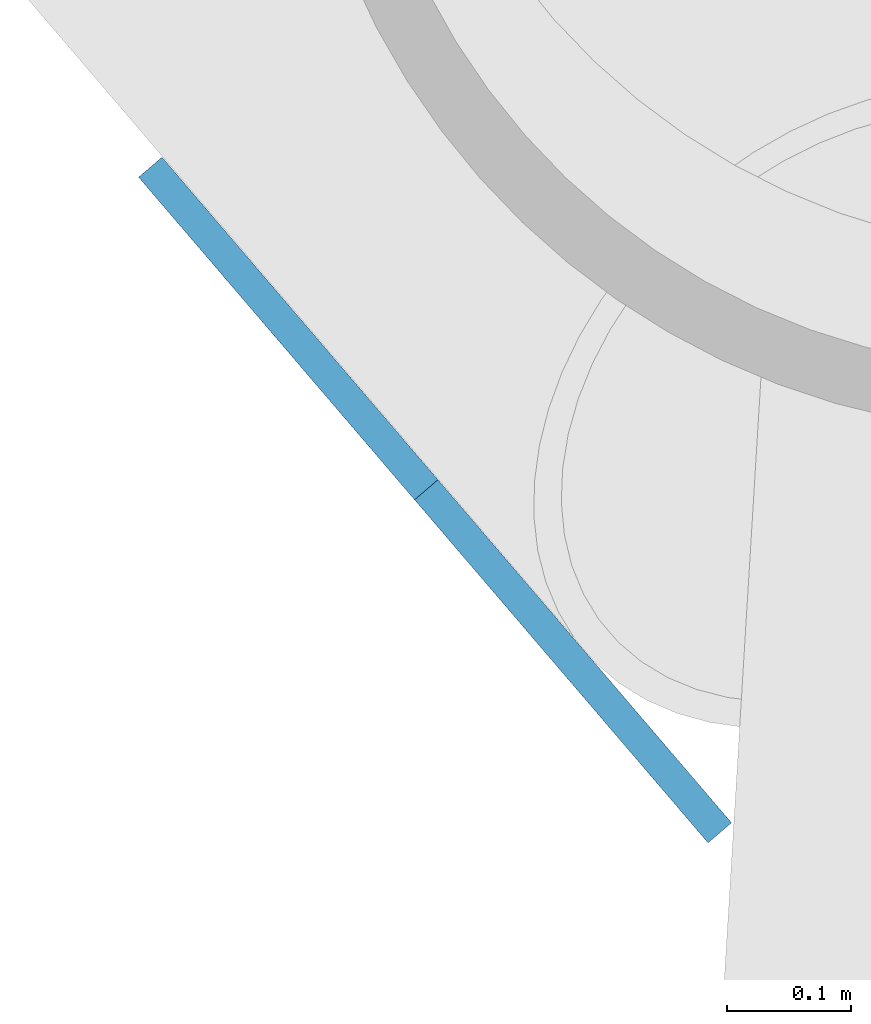
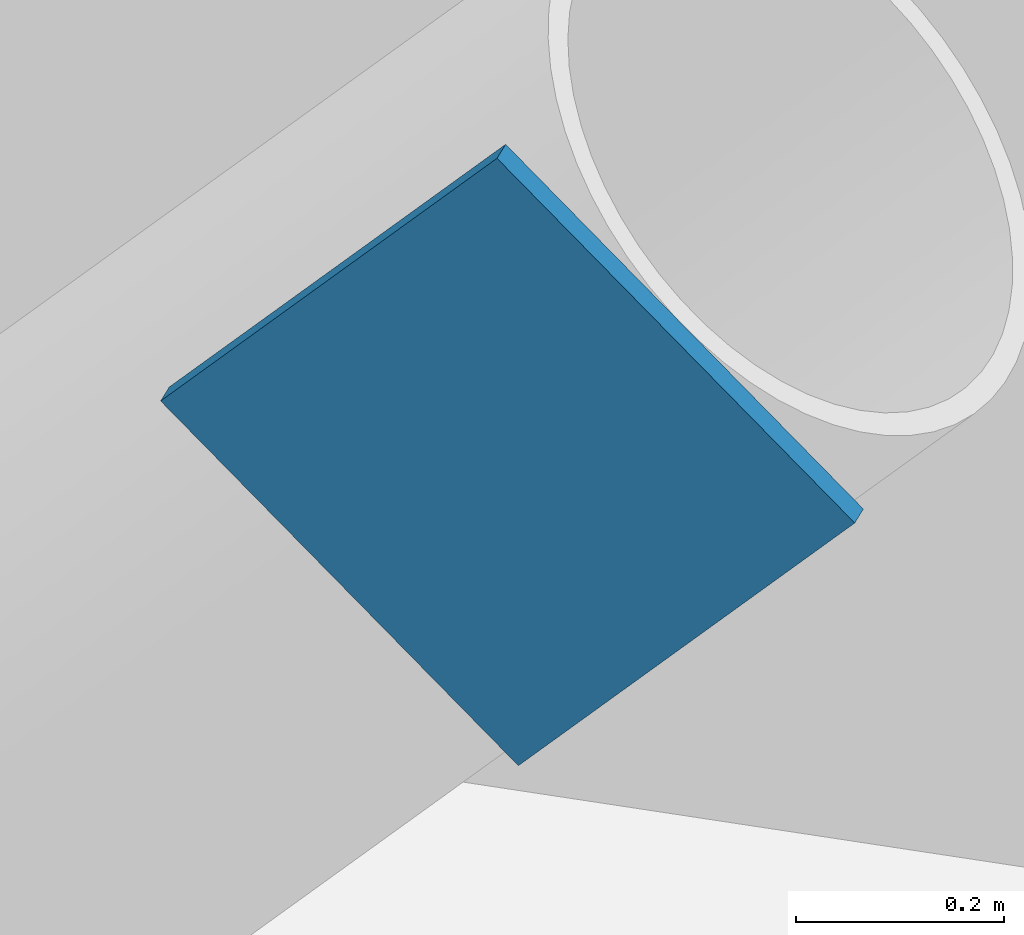
# One storey, part 11 of 22: 1 discrete accessory.
"""IFC4 building model written with IfcOpenShell, lengths in metres."""

import ifcopenshell
import ifcopenshell.guid

model = None  # the IFC model being written
_history = None  # IfcOwnerHistory: only IFC2X3 demands one
_inside = {}  # id of a spatial element -> (the spatial element, [elements in it])
_under = {}  # id of a project, library or spatial element -> (it, [spatial elements below it])
_declared = {}  # id of a project -> (the project, [libraries it declares])
_typed = {}  # id of a type object -> (the type object, [elements of that type])
_made_of = {}  # id of a material, layer set ... -> (it, [elements and type objects made of it])


def new_model(schema):
    """Start an empty IFC model of exactly this schema.

    Asked for "IFC4X3", IfcOpenShell would pick the latest addendum, in which some entities
    have other attributes; the version numbers below select the first issue.
    IFC2X3 requires an IfcOwnerHistory on every rooted entity: one is made here for all.
    """
    global model, _history
    if schema == "IFC4X3":
        model = ifcopenshell.file(schema_version=(4, 3, 0, 0))
    else:
        model = ifcopenshell.file(schema=schema)
    _inside.clear()
    _under.clear()
    _declared.clear()
    _typed.clear()
    _made_of.clear()
    _history = None
    if model.schema == "IFC2X3":
        org = make("IfcOrganization", Name="unknown")
        user = make(
            "IfcPersonAndOrganization",
            ThePerson=make("IfcPerson", FamilyName="unknown"),
            TheOrganization=org,
        )
        app = make(
            "IfcApplication",
            ApplicationDeveloper=org,
            Version="unknown",
            ApplicationFullName="unknown",
            ApplicationIdentifier="unknown",
        )
        _history = make(
            "IfcOwnerHistory",
            OwningUser=user,
            OwningApplication=app,
            ChangeAction="ADDED",
            CreationDate=0,
        )
    return model


def make(cls, **values):
    """One entity of the class cls with the attributes given. An attribute that is None is left unset."""
    return model.create_entity(
        cls, **{name: value for name, value in values.items() if value is not None}
    )


def rooted(cls, **values):
    """An entity with a GlobalId (a new one), such as an element, a storey or a relation."""
    return make(cls, GlobalId=ifcopenshell.guid.new(), OwnerHistory=_history, **values)


def si_unit(unit_type, name, prefix=None):
    """IfcSIUnit, for example si_unit("LENGTHUNIT", "METRE", prefix="MILLI")."""
    return make("IfcSIUnit", UnitType=unit_type, Prefix=prefix, Name=name)


def assignment(units):
    """IfcUnitAssignment: the units of a project."""
    return None if units is None else make("IfcUnitAssignment", Units=units)


def point(xyz):
    """IfcCartesianPoint."""
    return None if xyz is None else make("IfcCartesianPoint", Coordinates=xyz)


def direction(xyz):
    """IfcDirection."""
    return None if xyz is None else make("IfcDirection", DirectionRatios=xyz)


def frame(location, z_axis=None, x_axis=None):
    """IfcAxis2Placement3D, a coordinate frame: its origin and axes. An axis left out is left unset."""
    return make(
        "IfcAxis2Placement3D",
        Location=point(location),
        Axis=direction(z_axis),
        RefDirection=direction(x_axis),
    )


def frame_2d(location, x_axis=None):
    """IfcAxis2Placement2D, a coordinate frame in the plane: its origin and x axis."""
    return make(
        "IfcAxis2Placement2D", Location=point(location), RefDirection=direction(x_axis)
    )


def origin():
    """The frame at (0, 0, 0) with its axes left unset."""
    return frame((0.0, 0.0, 0.0))


def origin_2d():
    """The frame at (0, 0) in the plane with its x axis left unset."""
    return frame_2d((0.0, 0.0))


def place(relative_to, where):
    """IfcLocalPlacement: puts the frame where relative to a parent placement (None: the world)."""
    return make(
        "IfcLocalPlacement", PlacementRelTo=relative_to, RelativePlacement=where
    )


def context(
    kind, dimensions, precision=None, world=None, true_north=None, identifier=None
):
    """IfcGeometricRepresentationContext, for example the 3D "Model" context."""
    return make(
        "IfcGeometricRepresentationContext",
        ContextIdentifier=identifier,
        ContextType=kind,
        CoordinateSpaceDimension=dimensions,
        Precision=precision,
        WorldCoordinateSystem=world,
        TrueNorth=true_north,
    )


def subcontext(parent, identifier, kind, view, scale=None):
    """IfcGeometricRepresentationSubContext, for example "Body" below "Model"."""
    return make(
        "IfcGeometricRepresentationSubContext",
        ContextIdentifier=identifier,
        ContextType=kind,
        ParentContext=parent,
        TargetScale=scale,
        TargetView=view,
    )


def project(units=None, contexts=None):
    """IfcProject with its units and contexts."""
    return rooted(
        "IfcProject",
        Name="project",
        RepresentationContexts=contexts,
        UnitsInContext=assignment(units),
    )


def spatial(cls, under=None, at=None, **own):
    """A site, building, storey or space (cls), placed at a placement, below another one or the project."""
    s = rooted(cls, ObjectPlacement=at, **own)
    if under is not None:
        _under.setdefault(under.id(), (under, []))[1].append(s)
    return s


def profile(cls, at=None, kind="AREA", **sizes):
    """A parametric profile (cls). Its sizes go by their IFC names, for example OverallWidth=200.0."""
    return make(cls, ProfileType=kind, Position=at, **sizes)


def rectangle(**sizes):
    """IfcRectangleProfileDef."""
    return profile("IfcRectangleProfileDef", **sizes)


def extrude(swept, where, along, depth):
    """IfcExtrudedAreaSolid: the profile swept, set in the frame where, extruded along a direction by depth."""
    return make(
        "IfcExtrudedAreaSolid",
        SweptArea=swept,
        Position=where,
        ExtrudedDirection=direction(along),
        Depth=depth,
    )


def shape(context_of_items, identifier, shape_type, items):
    """IfcShapeRepresentation: the items that make up one representation, for example the "Body"."""
    return make(
        "IfcShapeRepresentation",
        ContextOfItems=context_of_items,
        RepresentationIdentifier=identifier,
        RepresentationType=shape_type,
        Items=items,
    )


def material(Name=None, Category=None):
    """IfcMaterial."""
    return make("IfcMaterial", Name=Name, Category=Category)


def material_profile(
    of_material, cross_section, Name=None, Category=None, Priority=None
):
    """IfcMaterialProfile: a cross section and its material."""
    return make(
        "IfcMaterialProfile",
        Name=Name,
        Material=of_material,
        Profile=cross_section,
        Priority=Priority,
        Category=Category,
    )


def profile_set(profiles, Name=None, composite=None):
    """IfcMaterialProfileSet."""
    return make(
        "IfcMaterialProfileSet",
        Name=Name,
        MaterialProfiles=profiles,
        CompositeProfile=composite,
    )


def made_of(thing, what):
    """Note that an element or type object is made of a material, layer set ...; save() writes the relation."""
    if what is not None:
        _made_of.setdefault(what.id(), (what, []))[1].append(thing)
    return thing


def type_object(cls, material=None, **own):
    """A type object (cls), such as IfcWallType, which elements share."""
    return made_of(rooted(cls, **own), material)


def element(
    cls,
    number,
    at=None,
    inside=None,
    cuts=None,
    type_object=None,
    material=None,
    context=None,
    identifier="Body",
    shape_type=None,
    held_by="IfcProductDefinitionShape",
    body=None,
    shapes=None,
    **own,
):
    """One element of the class cls, such as IfcWall. Its Tag is "e" and its number.

    at: its placement. inside: the storey or other place that contains it. cuts: it is an
    opening in that element (IfcRelVoidsElement). A single representation is given by context,
    identifier, shape_type and body (its items); several are given by shapes. held_by: the class
    of the entity that holds the representations. save() writes the other relations.
    """
    e = rooted(cls, Tag="e%d" % number, ObjectPlacement=at, **own)
    if body is not None:
        shapes = [shape(context, identifier, shape_type, body)]
    if shapes is not None:
        e.Representation = make(held_by, Representations=shapes)
    if inside is not None:
        _inside.setdefault(inside.id(), (inside, []))[1].append(e)
    if cuts is not None:
        rooted(
            "IfcRelVoidsElement", RelatingBuildingElement=cuts, RelatedOpeningElement=e
        )
    if type_object is not None:
        _typed.setdefault(type_object.id(), (type_object, []))[1].append(e)
    return made_of(e, material)


def aggregate(whole, parts):
    """IfcRelAggregates: a whole, such as a stair, and the parts it consists of."""
    return rooted("IfcRelAggregates", RelatingObject=whole, RelatedObjects=parts)


def save(model, path):
    """Write the relations noted so far, then the file.

    IfcRelAggregates (storeys below a building ...), IfcRelContainedInSpatialStructure (elements
    in a storey), IfcRelDefinesByType, IfcRelAssociatesMaterial and IfcRelDeclares: one each for
    every whole, place, type object, material and project.
    """
    for whole, parts in _under.values():
        aggregate(whole, parts)
    for where, things in _inside.values():
        rooted(
            "IfcRelContainedInSpatialStructure",
            RelatedElements=things,
            RelatingStructure=where,
        )
    for kind, things in _typed.values():
        rooted("IfcRelDefinesByType", RelatedObjects=things, RelatingType=kind)
    for what, things in _made_of.values():
        rooted("IfcRelAssociatesMaterial", RelatedObjects=things, RelatingMaterial=what)
    for by, libraries in _declared.values():
        rooted("IfcRelDeclares", RelatingContext=by, RelatedDefinitions=libraries)
    model.write(path)


model = new_model("IFC4")

# Units and contexts
model_context = context("Model", 3, precision=1e-05, world=origin(), true_north=direction((0.0, 1.0)))
body_context = subcontext(model_context, "Body", "Model", "MODEL_VIEW")
ifc_project = project(units=[si_unit("LENGTHUNIT", "METRE"), si_unit("AREAUNIT", "SQUARE_METRE"), si_unit("VOLUMEUNIT", "CUBIC_METRE"), si_unit("PLANEANGLEUNIT", "RADIAN"), si_unit("MASSUNIT", "GRAM", prefix="KILO")], contexts=[model_context])

# Site, building, storey
site_placement = place(None, origin())
site = spatial("IfcSite", under=ifc_project, at=site_placement, CompositionType="ELEMENT")
building_placement = place(site_placement, origin())
building = spatial("IfcBuilding", under=site, at=building_placement, Name="Tarsis Ring Headquarters", CompositionType="ELEMENT")
storey_placement = place(building_placement, frame((0.0, 0.0, 79.0)))
storey = spatial("IfcBuildingStorey", under=building, at=storey_placement, Name="L17", CompositionType="ELEMENT", Elevation=79.0)

# Discrete accessory
ifc_material = material(Name="Structural steel S355", Category="steel")
ifc_material_profile = material_profile(ifc_material, rectangle(XDim=0.02490234375, YDim=0.5, at=origin_2d()), Name="PL 25x500")
ifc_profile_set = profile_set([ifc_material_profile], Name="Structural steel S355")
discrete_accessory_type = type_object("IfcDiscreteAccessoryType", Name="Gusset plate Exo brace 25", PredefinedType="BRACKET", material=ifc_profile_set)
discrete_accessory_placement = place(storey_placement, frame((-28.56884765625, 6.224609375, 7.800048828125), z_axis=(-0.44531993214, 0.520516499629, -0.728527783721), x_axis=(-0.75986007125, -0.650086665084, 0.0)))
element("IfcDiscreteAccessory", 1, at=discrete_accessory_placement, inside=storey, type_object=discrete_accessory_type, Name="Gusset plate GP5", PredefinedType="BRACKET", context=body_context, shape_type="SweptSolid", body=[
    extrude(rectangle(XDim=0.02490234375, YDim=0.5, at=origin_2d()), origin(), (0.0, 0.0, 1.0), 0.5),
])

save(model, "model.ifc")
